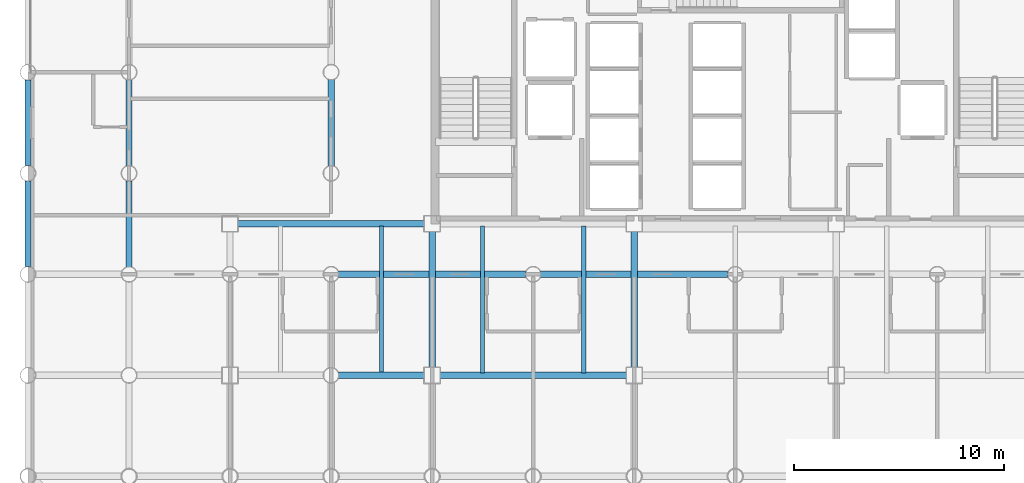
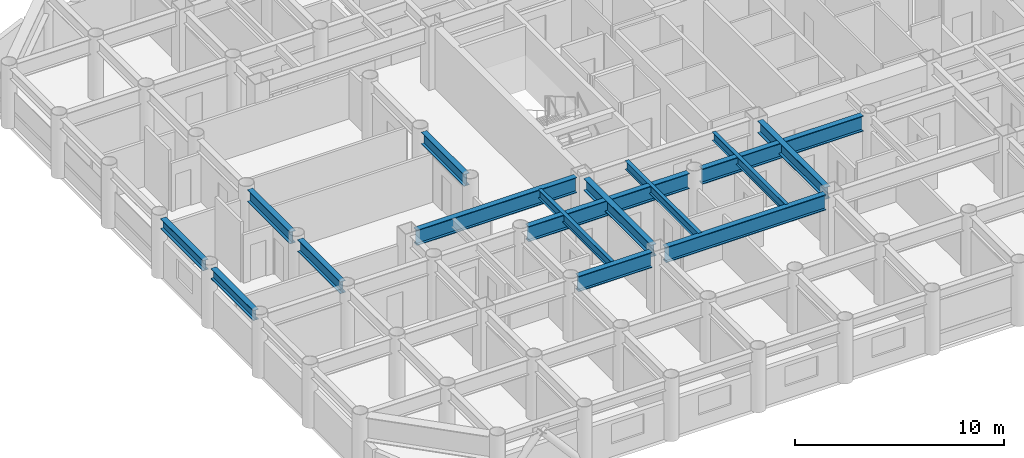
# One storey, part 3 of 22: 15 beams.
"""IFC4 building model written with IfcOpenShell, lengths in metres."""

from ifc_helpers import new_model, si_unit, direction, frame, origin, origin_2d, place, context, subcontext, project, spatial, i_section, extrude, material, material_profile, profile_set, type_object, element, save


model = new_model("IFC4")

# Units and contexts
model_context = context("Model", 3, precision=1e-05, world=origin(), true_north=direction((0.0, 1.0)))
body_context = subcontext(model_context, "Body", "Model", "MODEL_VIEW")
ifc_project = project(units=[si_unit("LENGTHUNIT", "METRE"), si_unit("AREAUNIT", "SQUARE_METRE"), si_unit("VOLUMEUNIT", "CUBIC_METRE"), si_unit("PLANEANGLEUNIT", "RADIAN"), si_unit("MASSUNIT", "GRAM", prefix="KILO")], contexts=[model_context])

# Site, building, storey
site_placement = place(None, origin())
site = spatial("IfcSite", under=ifc_project, at=site_placement, CompositionType="ELEMENT")
building_placement = place(site_placement, origin())
building = spatial("IfcBuilding", under=site, at=building_placement, Name="Kallvorn Hotel Tower", CompositionType="ELEMENT")
storey_placement = place(building_placement, frame((0.0, 0.0, 33.699951171875)))
storey = spatial("IfcBuildingStorey", under=building, at=storey_placement, Name="L06", CompositionType="ELEMENT", Elevation=33.699951171875)

# Beams
ifc_material_1 = material(Name="Structural steel S355JR", Category="steel")
ifc_material_profile_1 = material_profile(ifc_material_1, i_section(OverallWidth=0.300048828125, OverallDepth=0.60009765625, WebThickness=0.015380859375, FlangeThickness=0.030029296875, at=origin_2d()), Name="HE 600 B")
ifc_profile_set_1 = profile_set([ifc_material_profile_1], Name="Structural steel S355JR")
beam_type_1 = type_object("IfcBeamType", Name="BM_HE600B", PredefinedType="SPANDREL", material=ifc_profile_set_1)
beam_1_placement = place(storey_placement, frame((-33.60009765625, -9.22900390625, 3.219970703125), z_axis=(0.0, 1.0, 0.0), x_axis=(-1.0, 0.0, 0.0)))
element("IfcBeam", 1, at=beam_1_placement, inside=storey, type_object=beam_type_1, Name="L07 Perimeter Spandrel 176", PredefinedType="SPANDREL", context=body_context, shape_type="SweptSolid", body=[
    extrude(i_section(OverallWidth=0.300048828125, OverallDepth=0.60009765625, WebThickness=0.015380859375, FlangeThickness=0.030029296875, at=origin_2d()), origin(), (0.0, 0.0, 1.0), 4.05810546875),
])
beam_2_placement = place(storey_placement, frame((-33.60009765625, -4.428955078125, 3.219970703125), z_axis=(0.0, 1.0, 0.0), x_axis=(-1.0, 0.0, 0.0)))
element("IfcBeam", 2, at=beam_2_placement, inside=storey, type_object=beam_type_1, Name="L07 Perimeter Spandrel 177", PredefinedType="SPANDREL", context=body_context, shape_type="SweptSolid", body=[
    extrude(i_section(OverallWidth=0.300048828125, OverallDepth=0.60009765625, WebThickness=0.015380859375, FlangeThickness=0.030029296875, at=origin_2d()), origin(), (0.0, 0.0, 1.0), 4.057861328125),
])
ifc_material_2 = material(Name="Structural steel S355JR", Category="steel")
ifc_material_profile_2 = material_profile(ifc_material_2, i_section(OverallWidth=0.300048828125, OverallDepth=0.699951171875, WebThickness=0.01708984375, FlangeThickness=0.031982421875, at=origin_2d()), Name="HE 700 B")
ifc_profile_set_2 = profile_set([ifc_material_profile_2], Name="Structural steel S355JR")
beam_type_2 = type_object("IfcBeamType", Name="BM_HE700B", PredefinedType="BEAM", material=ifc_profile_set_2)
beam_3_placement = place(storey_placement, frame((-28.800048828125, -9.243896484375, 3.170166015625), z_axis=(0.0, 1.0, 0.0), x_axis=(-1.0, 0.0, 0.0)))
element("IfcBeam", 3, at=beam_3_placement, inside=storey, type_object=beam_type_2, Name="L07 Primary Y-Girder 76", PredefinedType="BEAM", context=body_context, shape_type="SweptSolid", body=[
    extrude(i_section(OverallWidth=0.300048828125, OverallDepth=0.699951171875, WebThickness=0.01708984375, FlangeThickness=0.031982421875, at=origin_2d()), origin(), (0.0, 0.0, 1.0), 4.087890625),
])
for number, where, z_axis, x_axis, name in (
    (4, (-28.800048828125, -4.444091796875, 3.170166015625), (0.0, 1.0, 0.0), (-1.0, 0.0, 0.0), "L07 Primary Y-Girder 77"),
    (5, (-19.199951171875, -4.444091796875, 3.170166015625), (0.0, 1.0, 0.0), (-1.0, 0.0, 0.0), "L07 Primary Y-Girder 93"),
):
    element("IfcBeam", number, at=place(storey_placement, frame(where, z_axis=z_axis, x_axis=x_axis)), inside=storey, type_object=beam_type_2, Name=name, PredefinedType="BEAM", context=body_context, shape_type="SweptSolid", body=[
        extrude(i_section(OverallWidth=0.300048828125, OverallDepth=0.699951171875, WebThickness=0.01708984375, FlangeThickness=0.031982421875, at=origin_2d()), origin(), (0.0, 0.0, 1.0), 4.088134765625),
    ])
for number, where, z_axis, x_axis, name in (
    (6, (-14.39990234375, -14.02490234375, 3.170166015625), (0.0, 1.0, 0.0), (-1.0, 0.0, 0.0), "L07 Primary Y-Girder 100"),
    (7, (-4.800048828125, -14.02490234375, 3.170166015625), (0.0, 1.0, 0.0), (-1.0, 0.0, 0.0), "L07 Primary Y-Girder 108"),
):
    element("IfcBeam", number, at=place(storey_placement, frame(where, z_axis=z_axis, x_axis=x_axis)), inside=storey, type_object=beam_type_2, Name=name, PredefinedType="BEAM", context=body_context, shape_type="SweptSolid", body=[
        extrude(i_section(OverallWidth=0.300048828125, OverallDepth=0.699951171875, WebThickness=0.01708984375, FlangeThickness=0.031982421875, at=origin_2d()), origin(), (0.0, 0.0, 1.0), 6.449951171875),
    ])
ifc_material_3 = material(Name="Structural steel S355JR", Category="steel")
ifc_material_profile_3 = material_profile(ifc_material_3, i_section(OverallWidth=0.300048828125, OverallDepth=0.89990234375, WebThickness=0.0185546875, FlangeThickness=0.034912109375, at=origin_2d()), Name="HE 900 B")
ifc_profile_set_3 = profile_set([ifc_material_profile_3], Name="Structural steel S355JR")
beam_type_3 = type_object("IfcBeamType", Name="BM_HE900B", PredefinedType="BEAM", material=ifc_profile_set_3)
beam_4_placement = place(storey_placement, frame((-18.843994140625, -14.39990234375, 3.070068359375), z_axis=(1.0, 0.0, 0.0), x_axis=(0.0, 1.0, 0.0)))
element("IfcBeam", 8, at=beam_4_placement, inside=storey, type_object=beam_type_3, Name="L07 Primary X-Girder 17", PredefinedType="BEAM", context=body_context, shape_type="SweptSolid", body=[
    extrude(i_section(OverallWidth=0.300048828125, OverallDepth=0.89990234375, WebThickness=0.0185546875, FlangeThickness=0.034912109375, at=origin_2d()), origin(), (0.0, 0.0, 1.0), 4.069091796875),
])
beam_5_placement = place(storey_placement, frame((-14.02490234375, -14.39990234375, 3.070068359375), z_axis=(1.0, 0.0, 0.0), x_axis=(0.0, 1.0, 0.0)))
element("IfcBeam", 9, at=beam_5_placement, inside=storey, type_object=beam_type_3, Name="L07 Primary X-Girder 18", PredefinedType="BEAM", context=body_context, shape_type="SweptSolid", body=[
    extrude(i_section(OverallWidth=0.300048828125, OverallDepth=0.89990234375, WebThickness=0.0185546875, FlangeThickness=0.034912109375, at=origin_2d()), origin(), (0.0, 0.0, 1.0), 8.849853515625),
])
for number, where, z_axis, x_axis, name in (
    (10, (-18.843994140625, -9.60009765625, 3.070068359375), (1.0, 0.0, 0.0), (0.0, 1.0, 0.0), "L07 Primary X-Girder 27"),
    (11, (-9.243896484375, -9.60009765625, 3.070068359375), (1.0, 0.0, 0.0), (0.0, 1.0, 0.0), "L07 Primary X-Girder 28"),
):
    element("IfcBeam", number, at=place(storey_placement, frame(where, z_axis=z_axis, x_axis=x_axis)), inside=storey, type_object=beam_type_3, Name=name, PredefinedType="BEAM", context=body_context, shape_type="SweptSolid", body=[
        extrude(i_section(OverallWidth=0.300048828125, OverallDepth=0.89990234375, WebThickness=0.0185546875, FlangeThickness=0.034912109375, at=origin_2d()), origin(), (0.0, 0.0, 1.0), 8.887939453125),
    ])
beam_6_placement = place(storey_placement, frame((-23.625, -7.199951171875, 3.070068359375), z_axis=(1.0, 0.0, 0.0), x_axis=(0.0, 1.0, 0.0)))
element("IfcBeam", 12, at=beam_6_placement, inside=storey, type_object=beam_type_3, Name="L07 Primary X-Girder 33", PredefinedType="BEAM", context=body_context, shape_type="SweptSolid", body=[
    extrude(i_section(OverallWidth=0.300048828125, OverallDepth=0.89990234375, WebThickness=0.0185546875, FlangeThickness=0.034912109375, at=origin_2d()), origin(), (0.0, 0.0, 1.0), 8.85009765625),
])
ifc_material_4 = material(Name="Structural steel S355JR", Category="steel")
ifc_material_profile_4 = material_profile(ifc_material_4, i_section(OverallWidth=0.199951171875, OverallDepth=0.5, WebThickness=0.01025390625, FlangeThickness=0.01611328125, at=origin_2d()), Name="IPE 500")
ifc_profile_set_4 = profile_set([ifc_material_profile_4], Name="Structural steel S355JR")
beam_type_4 = type_object("IfcBeamType", Name="BM_IPE500", PredefinedType="JOIST", material=ifc_profile_set_4)
for number, where, z_axis, x_axis, name in (
    (13, (-16.800048828125, -14.300048828125, 3.27001953125), (0.0, 1.0, 0.0), (-1.0, 0.0, 0.0), "L07 Secondary Composite Joist 194"),
    (14, (-12.0, -14.300048828125, 3.27001953125), (0.0, 1.0, 0.0), (-1.0, 0.0, 0.0), "L07 Secondary Composite Joist 196"),
    (15, (-7.199951171875, -14.300048828125, 3.27001953125), (0.0, 1.0, 0.0), (-1.0, 0.0, 0.0), "L07 Secondary Composite Joist 198"),
):
    element("IfcBeam", number, at=place(storey_placement, frame(where, z_axis=z_axis, x_axis=x_axis)), inside=storey, type_object=beam_type_4, Name=name, PredefinedType="JOIST", context=body_context, shape_type="SweptSolid", body=[
        extrude(i_section(OverallWidth=0.199951171875, OverallDepth=0.5, WebThickness=0.01025390625, FlangeThickness=0.01611328125, at=origin_2d()), origin(), (0.0, 0.0, 1.0), 7.0),
    ])

save(model, "model.ifc")
